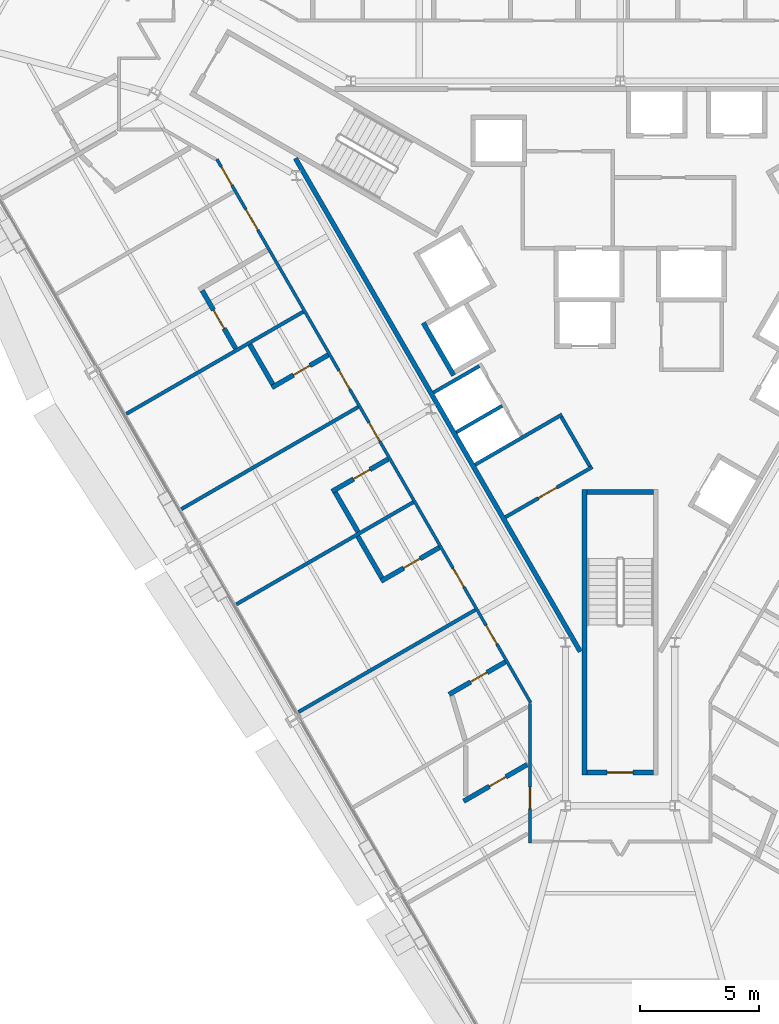
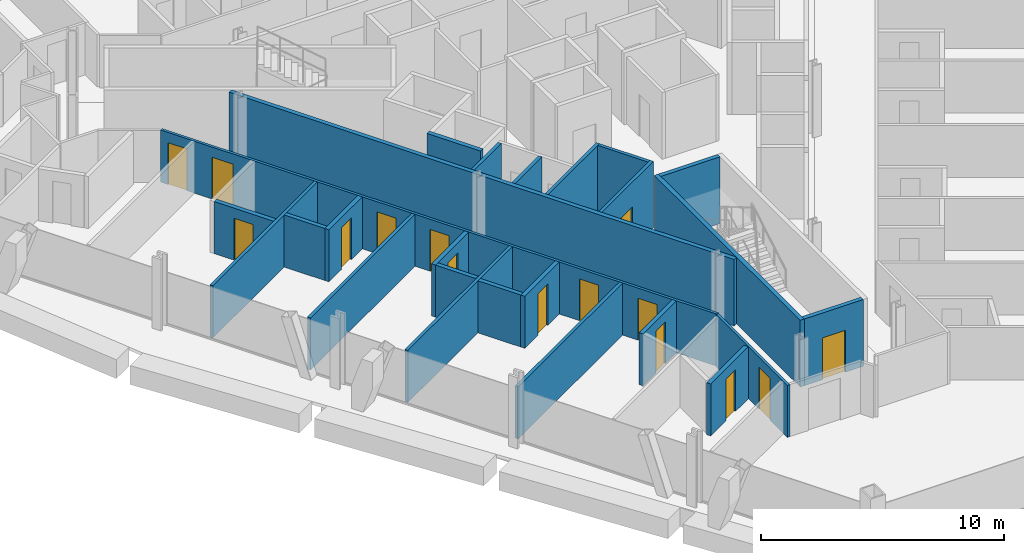
# One storey, part 10 of 17: 25 walls, 15 doors, 15 openings.
"""IFC4 building model written with IfcOpenShell, lengths in metres."""

from ifc_helpers import new_model, si_unit, direction, frame, frame_2d, origin, place, context, subcontext, project, spatial, rectangle, extrude, material, layer, layer_set, type_object, element, fill, save


model = new_model("IFC4")

# Units and contexts
model_context = context("Model", 3, precision=1e-05, world=origin(), true_north=direction((0.0, 1.0)))
body_context = subcontext(model_context, "Body", "Model", "MODEL_VIEW")
ifc_project = project(units=[si_unit("LENGTHUNIT", "METRE"), si_unit("AREAUNIT", "SQUARE_METRE"), si_unit("VOLUMEUNIT", "CUBIC_METRE"), si_unit("PLANEANGLEUNIT", "RADIAN"), si_unit("MASSUNIT", "GRAM", prefix="KILO")], contexts=[model_context])

# Site, building, storey
site_placement = place(None, origin())
site = spatial("IfcSite", under=ifc_project, at=site_placement, CompositionType="ELEMENT")
building_placement = place(site_placement, origin())
building = spatial("IfcBuilding", under=site, at=building_placement, Name="Verrane Prism Tower", CompositionType="ELEMENT")
storey_placement = place(building_placement, frame((0.0, 0.0, 40.39990234375)))
storey = spatial("IfcBuildingStorey", under=building, at=storey_placement, Name="L07", CompositionType="ELEMENT", Elevation=40.39990234375)

# Wall
ifc_material_1 = material(Name="Gypsum board partition", Category="other")
ifc_layer_1 = layer(ifc_material_1, 0.199951171875)
ifc_layer_set_1 = layer_set([ifc_layer_1], Name="CW-200 core boundary wall 2 h")
wall_type_1 = type_object("IfcWallType", Name="CW-200 core boundary wall 2 h", PredefinedType="PARTITIONING", material=ifc_layer_set_1)
wall_1_placement = place(storey_placement, frame((-13.66357421875, 5.946044921875, 0.0), z_axis=(0.0, 0.0, 1.0), x_axis=(0.499994327219, -0.866028678941, 0.0)))
element("IfcWall", 1, at=wall_1_placement, inside=storey, type_object=wall_type_1, Name="Core boundary wall CW3-008", PredefinedType="PARTITIONING", context=body_context, shape_type="SweptSolid", body=[
    extrude(rectangle(XDim=23.967529296875, YDim=0.199951171875, at=frame_2d((11.98388671875, 0.0))), origin(), (0.0, 0.0, 1.0), 3.35009765625),
])

# Wall, opening, door
ifc_material_2 = material(Name="Concrete C40/50", Category="concrete")
ifc_layer_2 = layer(ifc_material_2, 0.199951171875)
ifc_layer_set_2 = layer_set([ifc_layer_2], Name="CW-200 stair core wall concrete C40/50 3 h")
wall_type_2 = type_object("IfcWallType", Name="CW-200 stair core wall concrete C40/50 3 h", PredefinedType="PARTITIONING", material=ifc_layer_set_2)
wall_2_placement = place(storey_placement, frame((-1.39990234375, -19.89990234375, 0.0), z_axis=(0.0, 0.0, 1.0), x_axis=(1.0, 0.0, 0.0)))
wall_2 = element("IfcWall", 2, at=wall_2_placement, inside=storey, type_object=wall_type_2, Name="Stair 3 enclosure wall", PredefinedType="PARTITIONING", context=body_context, shape_type="SweptSolid", body=[
    extrude(rectangle(XDim=2.7998046875, YDim=0.199951171875, at=frame_2d((1.39990234375, 0.0))), origin(), (0.0, 0.0, 1.0), 3.35009765625),
])
opening_1_placement = place(wall_2_placement, frame((0.85009765625, 0.0, 0.0)))
opening_1 = element("IfcOpeningElement", 3, at=opening_1_placement, cuts=wall_2, Name="Opening D06502", PredefinedType="OPENING", context=body_context, shape_type="SweptSolid", body=[
    extrude(rectangle(XDim=1.10009765625, YDim=2.10009765625, at=frame_2d((0.550048828125, 1.050048828125))), frame((0.0, 0.10986328125, 0.0), z_axis=(0.0, -1.0, 0.0), x_axis=(1.0, 0.0, 0.0)), (0.0, 0.0, 1.0), 0.219970703125),
])
ifc_material_3 = material(Name="Timber veneered door leaf", Category="wood")
door_type_1 = type_object("IfcDoorType", Name="DR-1100x2100 FD90 single leaf stair", OperationType="NOTDEFINED", PredefinedType="DOOR", material=ifc_material_3)
door_1_placement = place(opening_1_placement, origin())
door_1 = element("IfcDoor", 4, at=door_1_placement, inside=storey, type_object=door_type_1, Name="Stair 3 door", OperationType="SINGLE_SWING_LEFT", OverallHeight=2.10009765625, OverallWidth=1.10009765625, PredefinedType="DOOR", context=body_context, shape_type="SweptSolid", body=[
    extrude(rectangle(XDim=1.10009765625, YDim=2.10009765625, at=frame_2d((0.550048828125, 1.050048828125))), frame((0.0, 0.02490234375, 0.0), z_axis=(0.0, -1.0, 0.0), x_axis=(1.0, 0.0, 0.0)), (0.0, 0.0, 1.0), 0.050048828125),
])
fill(opening_1, door_1)

# Walls
wall_3_placement = place(storey_placement, frame((-1.5, -8.0, 0.0), z_axis=(0.0, 0.0, 1.0), x_axis=(0.0, -1.0, 0.0)))
element("IfcWall", 5, at=wall_3_placement, inside=storey, type_object=wall_type_2, Name="Stair 3 enclosure wall", PredefinedType="PARTITIONING", context=body_context, shape_type="SweptSolid", body=[
    extrude(rectangle(XDim=12.0, YDim=0.199951171875, at=frame_2d((6.0, 0.0))), origin(), (0.0, 0.0, 1.0), 3.35009765625),
])
wall_4_placement = place(storey_placement, frame((-1.39990234375, -8.10009765625, 0.0), z_axis=(0.0, 0.0, 1.0), x_axis=(1.0, 0.0, 0.0)))
element("IfcWall", 6, at=wall_4_placement, inside=storey, type_object=wall_type_2, Name="Stair 3 enclosure wall", PredefinedType="PARTITIONING", context=body_context, shape_type="SweptSolid", body=[
    extrude(rectangle(XDim=2.7998046875, YDim=0.199951171875, at=frame_2d((1.39990234375, 0.0))), origin(), (0.0, 0.0, 1.0), 3.35009765625),
])
ifc_material_4 = material(Name="Gypsum board shaft wall assembly", Category="other")
ifc_layer_3 = layer(ifc_material_4, 0.199951171875)
ifc_layer_set_3 = layer_set([ifc_layer_3], Name="HW-200 lift shaft wall 2 h")
wall_type_3 = type_object("IfcWallType", Name="HW-200 lift shaft wall 2 h", PredefinedType="PARTITIONING", material=ifc_layer_set_3)
wall_5_placement = place(storey_placement, frame((-7.00634765625, -3.184814453125, 0.0), z_axis=(0.0, 0.0, 1.0), x_axis=(-0.499990435942, 0.866030925526, 0.0)))
element("IfcWall", 7, at=wall_5_placement, inside=storey, type_object=wall_type_3, Name="Lift shaft wall", PredefinedType="PARTITIONING", context=body_context, shape_type="SweptSolid", body=[
    extrude(rectangle(XDim=2.5498046875, YDim=0.199951171875, at=frame_2d((1.27490234375, 0.0))), origin(), (0.0, 0.0, 1.0), 3.60009765625),
])

# Wall, openings, doors
ifc_material_5 = material(Name="Gypsum board partition", Category="other")
ifc_layer_4 = layer(ifc_material_5, 0.125)
ifc_layer_set_4 = layer_set([ifc_layer_4], Name="PW-125 corridor wall 1 h")
wall_type_4 = type_object("IfcWallType", Name="PW-125 corridor wall 1 h", PredefinedType="PARTITIONING", material=ifc_layer_set_4)
wall_6_placement = place(storey_placement, frame((-3.765869140625, -16.9580078125, 0.0), z_axis=(0.0, 0.0, 1.0), x_axis=(-0.500024758804, 0.866011108811, 0.0)))
wall_6 = element("IfcWall", 8, at=wall_6_placement, inside=storey, type_object=wall_type_4, Name="Corridor wall 023", PredefinedType="PARTITIONING", context=body_context, shape_type="SweptSolid", body=[
    extrude(rectangle(XDim=26.401611328125, YDim=0.125, at=frame_2d((13.20068359375, 0.0))), origin(), (0.0, 0.0, 1.0), 2.613037109375),
])
opening_2_placement = place(wall_6_placement, frame((25.13916015625, 0.0, 0.0)))
opening_2 = element("IfcOpeningElement", 9, at=opening_2_placement, cuts=wall_6, Name="Opening D06019", PredefinedType="OPENING", context=body_context, shape_type="SweptSolid", body=[
    extrude(rectangle(XDim=0.89990234375, YDim=2.10009765625, at=frame_2d((0.449951171875, 1.050048828125))), frame((0.0, 0.072509765625, 0.0), z_axis=(0.0, -1.0, 0.0), x_axis=(1.0, 0.0, 0.0)), (0.0, 0.0, 1.0), 0.14501953125),
])
opening_3_placement = place(wall_6_placement, frame((22.96337890625, 0.0, 0.0)))
opening_3 = element("IfcOpeningElement", 10, at=opening_3_placement, cuts=wall_6, Name="Opening D06021", PredefinedType="OPENING", context=body_context, shape_type="SweptSolid", body=[
    extrude(rectangle(XDim=1.0, YDim=2.10009765625, at=frame_2d((0.5, 1.050048828125))), frame((0.0, 0.072509765625, 0.0), z_axis=(0.0, -1.0, 0.0), x_axis=(1.0, 0.0, 0.0)), (0.0, 0.0, 1.0), 0.14501953125),
])
opening_4_placement = place(wall_6_placement, frame((15.228271484375, 0.0, 0.0)))
opening_4 = element("IfcOpeningElement", 11, at=opening_4_placement, cuts=wall_6, Name="Opening D06023", PredefinedType="OPENING", context=body_context, shape_type="SweptSolid", body=[
    extrude(rectangle(XDim=0.89990234375, YDim=2.10009765625, at=frame_2d((0.449951171875, 1.050048828125))), frame((0.0, 0.072509765625, 0.0), z_axis=(0.0, -1.0, 0.0), x_axis=(1.0, 0.0, 0.0)), (0.0, 0.0, 1.0), 0.14501953125),
])
opening_5_placement = place(wall_6_placement, frame((12.702392578125, 0.0, 0.0)))
opening_5 = element("IfcOpeningElement", 12, at=opening_5_placement, cuts=wall_6, Name="Opening D06025", PredefinedType="OPENING", context=body_context, shape_type="SweptSolid", body=[
    extrude(rectangle(XDim=0.89990234375, YDim=2.10009765625, at=frame_2d((0.449951171875, 1.050048828125))), frame((0.0, 0.072509765625, 0.0), z_axis=(0.0, -1.0, 0.0), x_axis=(1.0, 0.0, 0.0)), (0.0, 0.0, 1.0), 0.14501953125),
])
opening_6_placement = place(wall_6_placement, frame((5.624267578125, 0.0, 0.0)))
opening_6 = element("IfcOpeningElement", 13, at=opening_6_placement, cuts=wall_6, Name="Opening D06027", PredefinedType="OPENING", context=body_context, shape_type="SweptSolid", body=[
    extrude(rectangle(XDim=0.89990234375, YDim=2.10009765625, at=frame_2d((0.449951171875, 1.050048828125))), frame((0.0, 0.072509765625, 0.0), z_axis=(0.0, -1.0, 0.0), x_axis=(1.0, 0.0, 0.0)), (0.0, 0.0, 1.0), 0.14501953125),
])
opening_7_placement = place(wall_6_placement, frame((2.84326171875, 0.0, 0.0)))
opening_7 = element("IfcOpeningElement", 14, at=opening_7_placement, cuts=wall_6, Name="Opening D06029", PredefinedType="OPENING", context=body_context, shape_type="SweptSolid", body=[
    extrude(rectangle(XDim=0.89990234375, YDim=2.10009765625, at=frame_2d((0.449951171875, 1.050048828125))), frame((0.0, 0.072509765625, 0.0), z_axis=(0.0, -1.0, 0.0), x_axis=(1.0, 0.0, 0.0)), (0.0, 0.0, 1.0), 0.14501953125),
])
ifc_material_6 = material(Name="Timber veneered door leaf", Category="wood")
door_type_2 = type_object("IfcDoorType", Name="DR-1000x2100 FD20 single leaf unit", OperationType="NOTDEFINED", PredefinedType="DOOR", material=ifc_material_6)
door_2_placement = place(opening_3_placement, origin())
door_2 = element("IfcDoor", 15, at=door_2_placement, inside=storey, type_object=door_type_2, Name="Accessible Guest Room door", OperationType="SINGLE_SWING_RIGHT", OverallHeight=2.10009765625, OverallWidth=1.0, PredefinedType="DOOR", context=body_context, shape_type="SweptSolid", body=[
    extrude(rectangle(XDim=1.0, YDim=2.10009765625, at=frame_2d((0.5, 1.050048828125))), frame((0.0, 0.02490234375, 0.0), z_axis=(0.0, -1.0, 0.0), x_axis=(1.0, 0.0, 0.0)), (0.0, 0.0, 1.0), 0.050048828125),
])
fill(opening_3, door_2)
ifc_material_7 = material(Name="Timber veneered door leaf", Category="wood")
door_type_3 = type_object("IfcDoorType", Name="DR-900x2100 FD20 single leaf unit", OperationType="NOTDEFINED", PredefinedType="DOOR", material=ifc_material_7)
door_3_placement = place(opening_2_placement, origin())
door_3 = element("IfcDoor", 16, at=door_3_placement, inside=storey, type_object=door_type_3, Name="Guest Room door", OperationType="SINGLE_SWING_RIGHT", OverallHeight=2.10009765625, OverallWidth=0.89990234375, PredefinedType="DOOR", context=body_context, shape_type="SweptSolid", body=[
    extrude(rectangle(XDim=0.89990234375, YDim=2.10009765625, at=frame_2d((0.449951171875, 1.050048828125))), frame((0.0, 0.02490234375, 0.0), z_axis=(0.0, -1.0, 0.0), x_axis=(1.0, 0.0, 0.0)), (0.0, 0.0, 1.0), 0.050048828125),
])
fill(opening_2, door_3)
door_4_placement = place(opening_4_placement, origin())
door_4 = element("IfcDoor", 17, at=door_4_placement, inside=storey, type_object=door_type_3, Name="Guest Room door", OperationType="SINGLE_SWING_RIGHT", OverallHeight=2.10009765625, OverallWidth=0.89990234375, PredefinedType="DOOR", context=body_context, shape_type="SweptSolid", body=[
    extrude(rectangle(XDim=0.89990234375, YDim=2.10009765625, at=frame_2d((0.449951171875, 1.050048828125))), frame((0.0, 0.02490234375, 0.0), z_axis=(0.0, -1.0, 0.0), x_axis=(1.0, 0.0, 0.0)), (0.0, 0.0, 1.0), 0.050048828125),
])
fill(opening_4, door_4)
door_5_placement = place(opening_5_placement, origin())
door_5 = element("IfcDoor", 18, at=door_5_placement, inside=storey, type_object=door_type_3, Name="Guest Room door", OperationType="SINGLE_SWING_RIGHT", OverallHeight=2.10009765625, OverallWidth=0.89990234375, PredefinedType="DOOR", context=body_context, shape_type="SweptSolid", body=[
    extrude(rectangle(XDim=0.89990234375, YDim=2.10009765625, at=frame_2d((0.449951171875, 1.050048828125))), frame((0.0, 0.02490234375, 0.0), z_axis=(0.0, -1.0, 0.0), x_axis=(1.0, 0.0, 0.0)), (0.0, 0.0, 1.0), 0.050048828125),
])
fill(opening_5, door_5)
door_6_placement = place(opening_6_placement, origin())
door_6 = element("IfcDoor", 19, at=door_6_placement, inside=storey, type_object=door_type_3, Name="Guest Room door", OperationType="SINGLE_SWING_RIGHT", OverallHeight=2.10009765625, OverallWidth=0.89990234375, PredefinedType="DOOR", context=body_context, shape_type="SweptSolid", body=[
    extrude(rectangle(XDim=0.89990234375, YDim=2.10009765625, at=frame_2d((0.449951171875, 1.050048828125))), frame((0.0, 0.02490234375, 0.0), z_axis=(0.0, -1.0, 0.0), x_axis=(1.0, 0.0, 0.0)), (0.0, 0.0, 1.0), 0.050048828125),
])
fill(opening_6, door_6)
door_7_placement = place(opening_7_placement, origin())
door_7 = element("IfcDoor", 20, at=door_7_placement, inside=storey, type_object=door_type_3, Name="Guest Room door", OperationType="SINGLE_SWING_RIGHT", OverallHeight=2.10009765625, OverallWidth=0.89990234375, PredefinedType="DOOR", context=body_context, shape_type="SweptSolid", body=[
    extrude(rectangle(XDim=0.89990234375, YDim=2.10009765625, at=frame_2d((0.449951171875, 1.050048828125))), frame((0.0, 0.02490234375, 0.0), z_axis=(0.0, -1.0, 0.0), x_axis=(1.0, 0.0, 0.0)), (0.0, 0.0, 1.0), 0.050048828125),
])
fill(opening_7, door_7)

# Wall, opening, door
wall_7_placement = place(storey_placement, frame((-3.797119140625, -22.859619140625, 0.0), z_axis=(0.0, 0.0, 1.0), x_axis=(0.0, 1.0, 0.0)))
wall_7 = element("IfcWall", 21, at=wall_7_placement, inside=storey, type_object=wall_type_4, Name="Corridor wall 048", PredefinedType="PARTITIONING", context=body_context, shape_type="SweptSolid", body=[
    extrude(rectangle(XDim=5.87060546875, YDim=0.125, at=frame_2d((2.935302734375, 0.0))), origin(), (0.0, 0.0, 1.0), 2.613037109375),
])
opening_8_placement = place(wall_7_placement, frame((1.4423828125, 0.0, 0.0)))
opening_8 = element("IfcOpeningElement", 22, at=opening_8_placement, cuts=wall_7, Name="Opening D06031", PredefinedType="OPENING", context=body_context, shape_type="SweptSolid", body=[
    extrude(rectangle(XDim=0.89990234375, YDim=2.10009765625, at=frame_2d((0.449951171875, 1.050048828125))), frame((0.0, 0.072509765625, 0.0), z_axis=(0.0, -1.0, 0.0), x_axis=(1.0, 0.0, 0.0)), (0.0, 0.0, 1.0), 0.14501953125),
])
door_8_placement = place(opening_8_placement, origin())
door_8 = element("IfcDoor", 23, at=door_8_placement, inside=storey, type_object=door_type_3, Name="Guest Room door", OperationType="SINGLE_SWING_LEFT", OverallHeight=2.10009765625, OverallWidth=0.89990234375, PredefinedType="DOOR", context=body_context, shape_type="SweptSolid", body=[
    extrude(rectangle(XDim=0.89990234375, YDim=2.10009765625, at=frame_2d((0.449951171875, 1.050048828125))), frame((0.0, 0.02490234375, 0.0), z_axis=(0.0, -1.0, 0.0), x_axis=(1.0, 0.0, 0.0)), (0.0, 0.0, 1.0), 0.050048828125),
])
fill(opening_8, door_8)

# Walls
ifc_material_8 = material(Name="Gypsum board partition", Category="other")
ifc_layer_5 = layer(ifc_material_8, 0.14990234375)
ifc_layer_set_5 = layer_set([ifc_layer_5], Name="PW-150 demising wall 1 h")
wall_type_5 = type_object("IfcWallType", Name="PW-150 demising wall 1 h", PredefinedType="PARTITIONING", material=ifc_layer_set_5)
wall_8_placement = place(storey_placement, frame((-20.77490234375, -4.80615234375, 0.0), z_axis=(0.0, 0.0, 1.0), x_axis=(0.865995804368, 0.50005126419, 0.0)))
element("IfcWall", 24, at=wall_8_placement, inside=storey, type_object=wall_type_5, Name="Demising wall 010", PredefinedType="PARTITIONING", context=body_context, shape_type="SweptSolid", body=[
    extrude(rectangle(XDim=8.5908203125, YDim=0.14990234375, at=frame_2d((4.29541015625, 0.0))), origin(), (0.0, 0.0, 1.0), 2.613037109375),
])
wall_9_placement = place(storey_placement, frame((-18.461669921875, -8.81298828125, 0.0), z_axis=(0.0, 0.0, 1.0), x_axis=(0.866029425019, 0.499993034952, 0.0)))
element("IfcWall", 25, at=wall_9_placement, inside=storey, type_object=wall_type_5, Name="Demising wall 020", PredefinedType="PARTITIONING", context=body_context, shape_type="SweptSolid", body=[
    extrude(rectangle(XDim=8.59130859375, YDim=0.14990234375, at=frame_2d((4.295654296875, 0.0))), origin(), (0.0, 0.0, 1.0), 2.613037109375),
])
wall_10_placement = place(storey_placement, frame((-16.147705078125, -12.82080078125, 0.0), z_axis=(0.0, 0.0, 1.0), x_axis=(0.866036528751, 0.499980730498, 0.0)))
element("IfcWall", 26, at=wall_10_placement, inside=storey, type_object=wall_type_5, Name="Demising wall 024", PredefinedType="PARTITIONING", context=body_context, shape_type="SweptSolid", body=[
    extrude(rectangle(XDim=8.591552734375, YDim=0.14990234375, at=frame_2d((4.2958984375, 0.0))), origin(), (0.0, 0.0, 1.0), 2.613037109375),
])
wall_11_placement = place(storey_placement, frame((-13.531982421875, -17.35107421875, 0.0), z_axis=(0.0, 0.0, 1.0), x_axis=(0.866002910178, 0.500038958046, 0.0)))
element("IfcWall", 27, at=wall_11_placement, inside=storey, type_object=wall_type_5, Name="Demising wall 031", PredefinedType="PARTITIONING", context=body_context, shape_type="SweptSolid", body=[
    extrude(rectangle(XDim=8.591064453125, YDim=0.14990234375, at=frame_2d((4.29541015625, 0.0))), origin(), (0.0, 0.0, 1.0), 2.613037109375),
])

# Wall, opening, door
ifc_material_9 = material(Name="Gypsum board partition", Category="other")
ifc_layer_6 = layer(ifc_material_9, 0.199951171875)
ifc_layer_set_6 = layer_set([ifc_layer_6], Name="PW-200 plumbing wall")
wall_type_6 = type_object("IfcWallType", Name="PW-200 plumbing wall", PredefinedType="PARTITIONING", material=ifc_layer_set_6)
wall_12_placement = place(storey_placement, frame((-17.587890625, 0.38232421875, 0.0), z_axis=(0.0, 0.0, 1.0), x_axis=(0.499984757355, -0.866034203951, 0.0)))
wall_12 = element("IfcWall", 28, at=wall_12_placement, inside=storey, type_object=wall_type_6, Name="Plumbing wall 021", PredefinedType="PARTITIONING", context=body_context, shape_type="SweptSolid", body=[
    extrude(rectangle(XDim=2.81982421875, YDim=0.199951171875, at=frame_2d((1.409912109375, 0.0))), origin(), (0.0, 0.0, 1.0), 2.613037109375),
])
opening_9_placement = place(wall_12_placement, frame((0.949951171875, 0.0, 0.0)))
opening_9 = element("IfcOpeningElement", 29, at=opening_9_placement, cuts=wall_12, Name="Opening D06022", PredefinedType="OPENING", context=body_context, shape_type="SweptSolid", body=[
    extrude(rectangle(XDim=0.89990234375, YDim=2.10009765625, at=frame_2d((0.449951171875, 1.050048828125))), frame((0.0, 0.10986328125, 0.0), z_axis=(0.0, -1.0, 0.0), x_axis=(1.0, 0.0, 0.0)), (0.0, 0.0, 1.0), 0.219970703125),
])
ifc_material_10 = material(Name="Timber veneered door leaf", Category="wood")
door_type_4 = type_object("IfcDoorType", Name="DR-900x2100 single leaf bath", OperationType="NOTDEFINED", PredefinedType="DOOR", material=ifc_material_10)
door_9_placement = place(opening_9_placement, origin())
door_9 = element("IfcDoor", 30, at=door_9_placement, inside=storey, type_object=door_type_4, Name="En-Suite door", OperationType="SINGLE_SWING_RIGHT", OverallHeight=2.10009765625, OverallWidth=0.89990234375, PredefinedType="DOOR", context=body_context, shape_type="SweptSolid", body=[
    extrude(rectangle(XDim=0.89990234375, YDim=2.10009765625, at=frame_2d((0.449951171875, 1.050048828125))), frame((0.0, 0.02490234375, 0.0), z_axis=(0.0, -1.0, 0.0), x_axis=(1.0, 0.0, 0.0)), (0.0, 0.0, 1.0), 0.050048828125),
])
fill(opening_9, door_9)

# Wall
wall_13_placement = place(storey_placement, frame((-15.58154296875, -1.89404296875, 0.0), z_axis=(0.0, 0.0, 1.0), x_axis=(0.500026156197, -0.86601030197, 0.0)))
element("IfcWall", 31, at=wall_13_placement, inside=storey, type_object=wall_type_6, Name="Plumbing wall 028", PredefinedType="PARTITIONING", context=body_context, shape_type="SweptSolid", body=[
    extrude(rectangle(XDim=1.92529296875, YDim=0.199951171875, at=frame_2d((0.962646484375, 0.0))), origin(), (0.0, 0.0, 1.0), 2.613037109375),
])

# Wall, opening, door
wall_14_placement = place(storey_placement, frame((-14.655517578125, -3.697998046875, 0.0), z_axis=(0.0, 0.0, 1.0), x_axis=(0.866005850709, 0.50003386539, 0.0)))
wall_14 = element("IfcWall", 32, at=wall_14_placement, inside=storey, type_object=wall_type_6, Name="Plumbing wall 029", PredefinedType="PARTITIONING", context=body_context, shape_type="SweptSolid", body=[
    extrude(rectangle(XDim=2.737060546875, YDim=0.199951171875, at=frame_2d((1.36865234375, 0.0))), origin(), (0.0, 0.0, 1.0), 2.613037109375),
])
opening_10_placement = place(wall_14_placement, frame((1.050048828125, 0.0, 0.0)))
opening_10 = element("IfcOpeningElement", 33, at=opening_10_placement, cuts=wall_14, Name="Opening D06024", PredefinedType="OPENING", context=body_context, shape_type="SweptSolid", body=[
    extrude(rectangle(XDim=0.800048828125, YDim=2.10009765625, at=frame_2d((0.39990234375, 1.050048828125))), frame((0.0, 0.10986328125, 0.0), z_axis=(0.0, -1.0, 0.0), x_axis=(1.0, 0.0, 0.0)), (0.0, 0.0, 1.0), 0.219970703125),
])
ifc_material_11 = material(Name="Timber veneered door leaf", Category="wood")
door_type_5 = type_object("IfcDoorType", Name="DR-800x2100 single leaf bath", OperationType="NOTDEFINED", PredefinedType="DOOR", material=ifc_material_11)
door_10_placement = place(opening_10_placement, origin())
door_10 = element("IfcDoor", 34, at=door_10_placement, inside=storey, type_object=door_type_5, Name="En-Suite door", OperationType="SINGLE_SWING_RIGHT", OverallHeight=2.10009765625, OverallWidth=0.800048828125, PredefinedType="DOOR", context=body_context, shape_type="SweptSolid", body=[
    extrude(rectangle(XDim=0.800048828125, YDim=2.10009765625, at=frame_2d((0.39990234375, 1.050048828125))), frame((0.0, 0.02490234375, 0.0), z_axis=(0.0, -1.0, 0.0), x_axis=(1.0, 0.0, 0.0)), (0.0, 0.0, 1.0), 0.050048828125),
])
fill(opening_10, door_10)

# Wall
wall_15_placement = place(storey_placement, frame((-11.990966796875, -8.111572265625, 0.0), z_axis=(0.0, 0.0, 1.0), x_axis=(0.499913221443, -0.866075499611, 0.0)))
element("IfcWall", 35, at=wall_15_placement, inside=storey, type_object=wall_type_6, Name="Plumbing wall 034", PredefinedType="PARTITIONING", context=body_context, shape_type="SweptSolid", body=[
    extrude(rectangle(XDim=1.920166015625, YDim=0.199951171875, at=frame_2d((0.9599609375, 0.0))), origin(), (0.0, 0.0, 1.0), 2.613037109375),
])

# Wall, opening, door
wall_16_placement = place(storey_placement, frame((-9.761474609375, -6.708740234375, 0.0), z_axis=(0.0, 0.0, 1.0), x_axis=(-0.866012976267, -0.500021524473, 0.0)))
wall_16 = element("IfcWall", 36, at=wall_16_placement, inside=storey, type_object=wall_type_6, Name="Plumbing wall 035", PredefinedType="PARTITIONING", context=body_context, shape_type="SweptSolid", body=[
    extrude(rectangle(XDim=2.732421875, YDim=0.199951171875, at=frame_2d((1.3662109375, 0.0))), origin(), (0.0, 0.0, 1.0), 2.613037109375),
])
opening_11_placement = place(wall_16_placement, frame((0.88232421875, 0.0, 0.0)))
opening_11 = element("IfcOpeningElement", 37, at=opening_11_placement, cuts=wall_16, Name="Opening D06026", PredefinedType="OPENING", context=body_context, shape_type="SweptSolid", body=[
    extrude(rectangle(XDim=0.800048828125, YDim=2.10009765625, at=frame_2d((0.39990234375, 1.050048828125))), frame((0.0, 0.10986328125, 0.0), z_axis=(0.0, -1.0, 0.0), x_axis=(1.0, 0.0, 0.0)), (0.0, 0.0, 1.0), 0.219970703125),
])
door_11_placement = place(opening_11_placement, origin())
door_11 = element("IfcDoor", 38, at=door_11_placement, inside=storey, type_object=door_type_5, Name="En-Suite door", OperationType="SINGLE_SWING_LEFT", OverallHeight=2.10009765625, OverallWidth=0.800048828125, PredefinedType="DOOR", context=body_context, shape_type="SweptSolid", body=[
    extrude(rectangle(XDim=0.800048828125, YDim=2.10009765625, at=frame_2d((0.39990234375, 1.050048828125))), frame((0.0, 0.02490234375, 0.0), z_axis=(0.0, -1.0, 0.0), x_axis=(1.0, 0.0, 0.0)), (0.0, 0.0, 1.0), 0.050048828125),
])
fill(opening_11, door_11)

# Wall
wall_17_placement = place(storey_placement, frame((-11.04052734375, -9.958984375, 0.0), z_axis=(0.0, 0.0, 1.0), x_axis=(0.500042536776, -0.866000843773, 0.0)))
element("IfcWall", 39, at=wall_17_placement, inside=storey, type_object=wall_type_6, Name="Plumbing wall 037", PredefinedType="PARTITIONING", context=body_context, shape_type="SweptSolid", body=[
    extrude(rectangle(XDim=2.024658203125, YDim=0.199951171875, at=frame_2d((1.01220703125, 0.0))), origin(), (0.0, 0.0, 1.0), 2.613037109375),
])

# Wall, opening, door
wall_18_placement = place(storey_placement, frame((-10.064697265625, -11.848876953125, 0.0), z_axis=(0.0, 0.0, 1.0), x_axis=(0.866048046904, 0.499960778915, 0.0)))
wall_18 = element("IfcWall", 40, at=wall_18_placement, inside=storey, type_object=wall_type_6, Name="Plumbing wall 040", PredefinedType="PARTITIONING", context=body_context, shape_type="SweptSolid", body=[
    extrude(rectangle(XDim=2.837646484375, YDim=0.199951171875, at=frame_2d((1.4189453125, 0.0))), origin(), (0.0, 0.0, 1.0), 2.613037109375),
])
opening_12_placement = place(wall_18_placement, frame((1.10009765625, 0.0, 0.0)))
opening_12 = element("IfcOpeningElement", 41, at=opening_12_placement, cuts=wall_18, Name="Opening D06028", PredefinedType="OPENING", context=body_context, shape_type="SweptSolid", body=[
    extrude(rectangle(XDim=0.800048828125, YDim=2.10009765625, at=frame_2d((0.39990234375, 1.050048828125))), frame((0.0, 0.10986328125, 0.0), z_axis=(0.0, -1.0, 0.0), x_axis=(1.0, 0.0, 0.0)), (0.0, 0.0, 1.0), 0.219970703125),
])
door_12_placement = place(opening_12_placement, origin())
door_12 = element("IfcDoor", 42, at=door_12_placement, inside=storey, type_object=door_type_5, Name="En-Suite door", OperationType="SINGLE_SWING_RIGHT", OverallHeight=2.10009765625, OverallWidth=0.800048828125, PredefinedType="DOOR", context=body_context, shape_type="SweptSolid", body=[
    extrude(rectangle(XDim=0.800048828125, YDim=2.10009765625, at=frame_2d((0.39990234375, 1.050048828125))), frame((0.0, 0.02490234375, 0.0), z_axis=(0.0, -1.0, 0.0), x_axis=(1.0, 0.0, 0.0)), (0.0, 0.0, 1.0), 0.050048828125),
])
fill(opening_12, door_12)

wall_19_placement = place(storey_placement, frame((-4.828125, -15.244140625, 0.0), z_axis=(0.0, 0.0, 1.0), x_axis=(-0.86596722502, -0.50010075504, 0.0)))
wall_19 = element("IfcWall", 43, at=wall_19_placement, inside=storey, type_object=wall_type_6, Name="Plumbing wall 044", PredefinedType="PARTITIONING", context=body_context, shape_type="SweptSolid", body=[
    extrude(rectangle(XDim=2.7373046875, YDim=0.199951171875, at=frame_2d((1.36865234375, 0.0))), origin(), (0.0, 0.0, 1.0), 2.613037109375),
])
opening_13_placement = place(wall_19_placement, frame((0.88720703125, 0.0, 0.0)))
opening_13 = element("IfcOpeningElement", 44, at=opening_13_placement, cuts=wall_19, Name="Opening D06030", PredefinedType="OPENING", context=body_context, shape_type="SweptSolid", body=[
    extrude(rectangle(XDim=0.800048828125, YDim=2.10009765625, at=frame_2d((0.39990234375, 1.050048828125))), frame((0.0, 0.10986328125, 0.0), z_axis=(0.0, -1.0, 0.0), x_axis=(1.0, 0.0, 0.0)), (0.0, 0.0, 1.0), 0.219970703125),
])
door_13_placement = place(opening_13_placement, origin())
door_13 = element("IfcDoor", 45, at=door_13_placement, inside=storey, type_object=door_type_5, Name="En-Suite door", OperationType="SINGLE_SWING_LEFT", OverallHeight=2.10009765625, OverallWidth=0.800048828125, PredefinedType="DOOR", context=body_context, shape_type="SweptSolid", body=[
    extrude(rectangle(XDim=0.800048828125, YDim=2.10009765625, at=frame_2d((0.39990234375, 1.050048828125))), frame((0.0, 0.02490234375, 0.0), z_axis=(0.0, -1.0, 0.0), x_axis=(1.0, 0.0, 0.0)), (0.0, 0.0, 1.0), 0.050048828125),
])
fill(opening_13, door_13)

wall_20_placement = place(storey_placement, frame((-6.58349609375, -21.10693359375, 0.0), z_axis=(0.0, 0.0, 1.0), x_axis=(0.866015731669, 0.500016752221, 0.0)))
wall_20 = element("IfcWall", 46, at=wall_20_placement, inside=storey, type_object=wall_type_6, Name="Plumbing wall 046", PredefinedType="PARTITIONING", context=body_context, shape_type="SweptSolid", body=[
    extrude(rectangle(XDim=3.087890625, YDim=0.199951171875, at=frame_2d((1.5439453125, 0.0))), origin(), (0.0, 0.0, 1.0), 2.613037109375),
])
opening_14_placement = place(wall_20_placement, frame((1.25, 0.0, 0.0)))
opening_14 = element("IfcOpeningElement", 47, at=opening_14_placement, cuts=wall_20, Name="Opening D06032", PredefinedType="OPENING", context=body_context, shape_type="SweptSolid", body=[
    extrude(rectangle(XDim=0.800048828125, YDim=2.10009765625, at=frame_2d((0.39990234375, 1.050048828125))), frame((0.0, 0.10986328125, 0.0), z_axis=(0.0, -1.0, 0.0), x_axis=(1.0, 0.0, 0.0)), (0.0, 0.0, 1.0), 0.219970703125),
])
door_14_placement = place(opening_14_placement, origin())
door_14 = element("IfcDoor", 48, at=door_14_placement, inside=storey, type_object=door_type_5, Name="En-Suite door", OperationType="SINGLE_SWING_RIGHT", OverallHeight=2.10009765625, OverallWidth=0.800048828125, PredefinedType="DOOR", context=body_context, shape_type="SweptSolid", body=[
    extrude(rectangle(XDim=0.800048828125, YDim=2.10009765625, at=frame_2d((0.39990234375, 1.050048828125))), frame((0.0, 0.02490234375, 0.0), z_axis=(0.0, -1.0, 0.0), x_axis=(1.0, 0.0, 0.0)), (0.0, 0.0, 1.0), 0.050048828125),
])
fill(opening_14, door_14)

# Walls
ifc_material_12 = material(Name="Gypsum board partition", Category="other")
ifc_layer_7 = layer(ifc_material_12, 0.14990234375)
ifc_layer_set_7 = layer_set([ifc_layer_7], Name="RS-150 riser enclosure wall 1 h")
wall_type_7 = type_object("IfcWallType", Name="RS-150 riser enclosure wall 1 h", PredefinedType="PARTITIONING", material=ifc_layer_set_7)
wall_21_placement = place(storey_placement, frame((-7.8564453125, -3.912109375, 0.0), z_axis=(0.0, 0.0, 1.0), x_axis=(0.865971748, 0.500092923031, 0.0)))
element("IfcWall", 49, at=wall_21_placement, inside=storey, type_object=wall_type_7, Name="Riser wall RS3-013", PredefinedType="PARTITIONING", context=body_context, shape_type="SweptSolid", body=[
    extrude(rectangle(XDim=2.224609375, YDim=0.14990234375, at=frame_2d((1.1123046875, 0.0))), origin(), (0.0, 0.0, 1.0), 3.35009765625),
])
wall_22_placement = place(storey_placement, frame((-6.892333984375, -5.58203125, 0.0), z_axis=(0.0, 0.0, 1.0), x_axis=(0.865944298464, 0.500140452231, 0.0)))
element("IfcWall", 50, at=wall_22_placement, inside=storey, type_object=wall_type_7, Name="Riser wall RS3-014", PredefinedType="PARTITIONING", context=body_context, shape_type="SweptSolid", body=[
    extrude(rectangle(XDim=2.224365234375, YDim=0.14990234375, at=frame_2d((1.1123046875, 0.0))), origin(), (0.0, 0.0, 1.0), 3.35009765625),
])
wall_23_placement = place(storey_placement, frame((-6.10009765625, -6.945556640625, 0.0), z_axis=(0.0, 0.0, 1.0), x_axis=(0.866038200431, 0.499977834903, 0.0)))
element("IfcWall", 51, at=wall_23_placement, inside=storey, type_object=wall_type_7, Name="Riser wall RS3-015", PredefinedType="PARTITIONING", context=body_context, shape_type="SweptSolid", body=[
    extrude(rectangle(XDim=4.220458984375, YDim=0.14990234375, at=frame_2d((2.1103515625, 0.0))), origin(), (0.0, 0.0, 1.0), 3.35009765625),
])

# Wall, opening, door
wall_24_placement = place(storey_placement, frame((-4.824951171875, -9.153564453125, 0.0), z_axis=(0.0, 0.0, 1.0), x_axis=(0.866023738697, 0.500002884005, 0.0)))
wall_24 = element("IfcWall", 52, at=wall_24_placement, inside=storey, type_object=wall_type_7, Name="Riser wall RS3-017", PredefinedType="PARTITIONING", context=body_context, shape_type="SweptSolid", body=[
    extrude(rectangle(XDim=4.22021484375, YDim=0.14990234375, at=frame_2d((2.110107421875, 0.0))), origin(), (0.0, 0.0, 1.0), 3.35009765625),
])
opening_15_placement = place(wall_24_placement, frame((1.594970703125, 0.0, 0.0)))
opening_15 = element("IfcOpeningElement", 53, at=opening_15_placement, cuts=wall_24, Name="Opening D06527", PredefinedType="OPENING", context=body_context, shape_type="SweptSolid", body=[
    extrude(rectangle(XDim=0.89990234375, YDim=2.10009765625, at=frame_2d((0.449951171875, 1.050048828125))), frame((0.0, 0.0849609375, 0.0), z_axis=(0.0, -1.0, 0.0), x_axis=(1.0, 0.0, 0.0)), (0.0, 0.0, 1.0), 0.169921875),
])
ifc_material_13 = material(Name="Timber veneered door leaf", Category="wood")
door_type_6 = type_object("IfcDoorType", Name="DR-900x2100 FD20 single leaf store", OperationType="NOTDEFINED", PredefinedType="DOOR", material=ifc_material_13)
door_15_placement = place(opening_15_placement, origin())
door_15 = element("IfcDoor", 54, at=door_15_placement, inside=storey, type_object=door_type_6, Name="Room door D06527", OperationType="SINGLE_SWING_LEFT", OverallHeight=2.10009765625, OverallWidth=0.89990234375, PredefinedType="DOOR", context=body_context, shape_type="SweptSolid", body=[
    extrude(rectangle(XDim=0.89990234375, YDim=2.10009765625, at=frame_2d((0.449951171875, 1.050048828125))), frame((0.0, 0.02490234375, 0.0), z_axis=(0.0, -1.0, 0.0), x_axis=(1.0, 0.0, 0.0)), (0.0, 0.0, 1.0), 0.050048828125),
])
fill(opening_15, door_15)

# Wall
wall_25_placement = place(storey_placement, frame((-2.472412109375, -4.93798828125, 0.0), z_axis=(0.0, 0.0, 1.0), x_axis=(0.500045362686, -0.865999212041, 0.0)))
element("IfcWall", 55, at=wall_25_placement, inside=storey, type_object=wall_type_7, Name="Riser wall RS3-018", PredefinedType="PARTITIONING", context=body_context, shape_type="SweptSolid", body=[
    extrude(rectangle(XDim=2.399658203125, YDim=0.14990234375, at=frame_2d((1.19970703125, 0.0))), origin(), (0.0, 0.0, 1.0), 3.35009765625),
])

save(model, "model.ifc")
